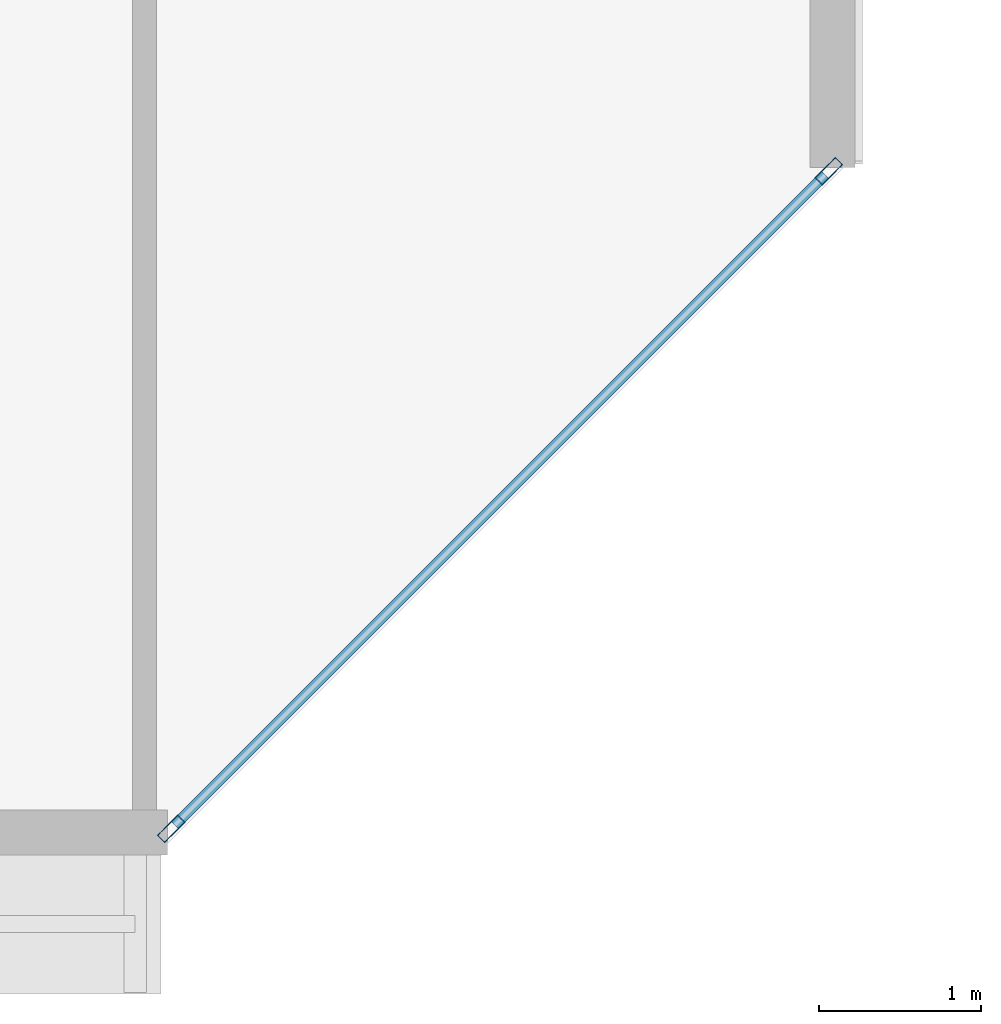
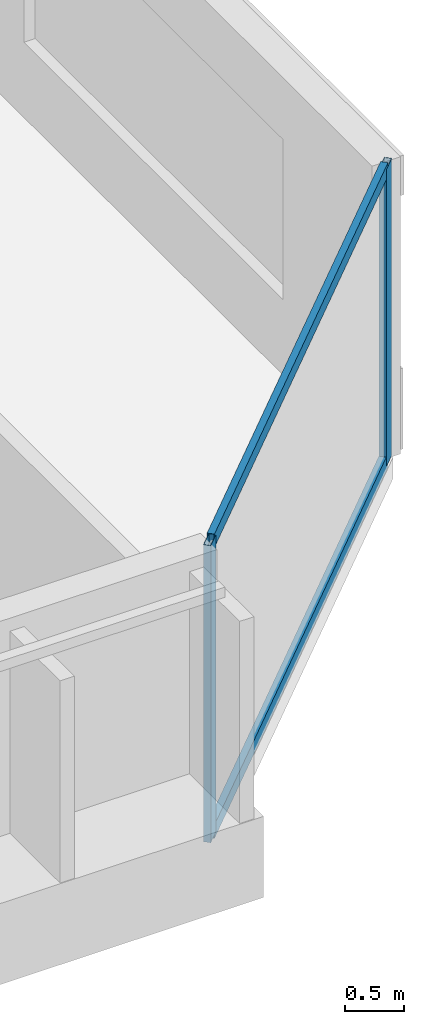
# One storey, part 14 of 33: 4 members, 1 element without a shape of its own.
"""IFC4 building model written with IfcOpenShell, lengths in metres."""

from ifc_helpers import new_model, si_unit, direction, frame, origin, origin_2d, place, context, subcontext, project, spatial, hollow_rectangle, extrude, material, layer, layer_set, material_profile, profile_set, type_object, element, aggregate, save


model = new_model("IFC4")

# Units and contexts
model_context = context("Model", 3, precision=1e-05, world=origin(), true_north=direction((0.0, 1.0)))
body_context = subcontext(model_context, "Body", "Model", "MODEL_VIEW")
ifc_project = project(units=[si_unit("LENGTHUNIT", "METRE"), si_unit("AREAUNIT", "SQUARE_METRE"), si_unit("VOLUMEUNIT", "CUBIC_METRE"), si_unit("PLANEANGLEUNIT", "RADIAN"), si_unit("MASSUNIT", "GRAM", prefix="KILO")], contexts=[model_context])

# Site, building, storey
site_placement = place(None, origin())
site = spatial("IfcSite", under=ifc_project, at=site_placement, CompositionType="ELEMENT")
building_placement = place(site_placement, origin())
building = spatial("IfcBuilding", under=site, at=building_placement, Name="Tanjung Sevakor Pilgrim Tower", CompositionType="ELEMENT")
storey_placement = place(building_placement, frame((0.0, 0.0, 52.139892578125)))
storey = spatial("IfcBuildingStorey", under=building, at=storey_placement, Name="L14", CompositionType="ELEMENT", Elevation=52.139892578125)

# Curtain wall, members
ifc_material_1 = material(Name="Aluminium 6063-T6 and Low-E Glass", Category="aluminium")
ifc_layer = layer(ifc_material_1, 0.179931640625)
ifc_layer_set = layer_set([ifc_layer], Name="CW-SYS-CHAM")
curtain_wall_type = type_object("IfcCurtainWallType", Name="CW-SYS-CHAM", PredefinedType="NOTDEFINED", material=ifc_layer_set)
curtain_wall_placement = place(storey_placement, origin())
curtain_wall = element("IfcCurtainWall", 1, at=curtain_wall_placement, inside=storey, type_object=curtain_wall_type, Name="L14 Curtain Wall CW-CHM-L14-MAIN-5", PredefinedType="NOTDEFINED")
ifc_material_2 = material(Name="Aluminium 6063-T6", Category="aluminium")
ifc_material_profile_1 = material_profile(ifc_material_2, hollow_rectangle(XDim=0.06494140625, YDim=0.179931640625, WallThickness=0.00390625, at=origin_2d()))
ifc_profile_set_1 = profile_set([ifc_material_profile_1], Name="Aluminium 6063-T6")
member_type_1 = type_object("IfcMemberType", Name="TYPE-CWM-1", PredefinedType="MULLION", material=ifc_profile_set_1)
member_1_placement = place(storey_placement, frame((96.56494140625, 7.762939453125, 0.0), z_axis=(0.0, 0.0, 1.0), x_axis=(-0.707106781187, 0.707106781187, 0.0)))
member_1 = element("IfcMember", 2, at=member_1_placement, type_object=member_type_1, Name="CW-CHM mullion 1", PredefinedType="MULLION", context=body_context, shape_type="SweptSolid", body=[
    extrude(hollow_rectangle(XDim=0.06494140625, YDim=0.179931640625, WallThickness=0.00390625, at=origin_2d()), origin(), (0.0, 0.0, 1.0), 3.080078125),
])
member_2_placement = place(storey_placement, frame((100.636962890625, 11.8349609375, 0.0), z_axis=(0.0, 0.0, 1.0), x_axis=(-0.707106781187, 0.707106781187, 0.0)))
member_2 = element("IfcMember", 3, at=member_2_placement, type_object=member_type_1, Name="CW-CHM mullion 2", PredefinedType="MULLION", context=body_context, shape_type="SweptSolid", body=[
    extrude(hollow_rectangle(XDim=0.06494140625, YDim=0.179931640625, WallThickness=0.00390625, at=origin_2d()), origin(), (0.0, 0.0, 1.0), 3.080078125),
])
ifc_material_3 = material(Name="Aluminium 6063-T6", Category="aluminium")
ifc_material_profile_2 = material_profile(ifc_material_3, hollow_rectangle(XDim=0.06494140625, YDim=0.139892578125, WallThickness=0.00390625, at=origin_2d()))
ifc_profile_set_2 = profile_set([ifc_material_profile_2], Name="Aluminium 6063-T6")
member_type_2 = type_object("IfcMemberType", Name="TYPE-CWT-1", PredefinedType="USERDEFINED", material=ifc_profile_set_2)
member_3_placement = place(storey_placement, frame((96.587890625, 7.785888671875, 0.03271484375), z_axis=(0.707106781187, 0.707106781187, 0.0), x_axis=(-0.707106781187, 0.707106781187, 0.0)))
member_3 = element("IfcMember", 4, at=member_3_placement, type_object=member_type_2, Name="CW-CHM transom 1.1", ObjectType="TRANSOM", PredefinedType="USERDEFINED", context=body_context, shape_type="SweptSolid", body=[
    extrude(hollow_rectangle(XDim=0.06494140625, YDim=0.139892578125, WallThickness=0.00390625, at=origin_2d()), origin(), (0.0, 0.0, 1.0), 5.69384765625),
])
member_4_placement = place(storey_placement, frame((96.587890625, 7.785888671875, 3.047607421875), z_axis=(0.707106781187, 0.707106781187, 0.0), x_axis=(-0.707106781187, 0.707106781187, 0.0)))
member_4 = element("IfcMember", 5, at=member_4_placement, type_object=member_type_2, Name="CW-CHM transom 1.2", ObjectType="TRANSOM", PredefinedType="USERDEFINED", context=body_context, shape_type="SweptSolid", body=[
    extrude(hollow_rectangle(XDim=0.06494140625, YDim=0.139892578125, WallThickness=0.00390625, at=origin_2d()), origin(), (0.0, 0.0, 1.0), 5.69384765625),
])
aggregate(curtain_wall, [member_1, member_2, member_3, member_4])

save(model, "model.ifc")
